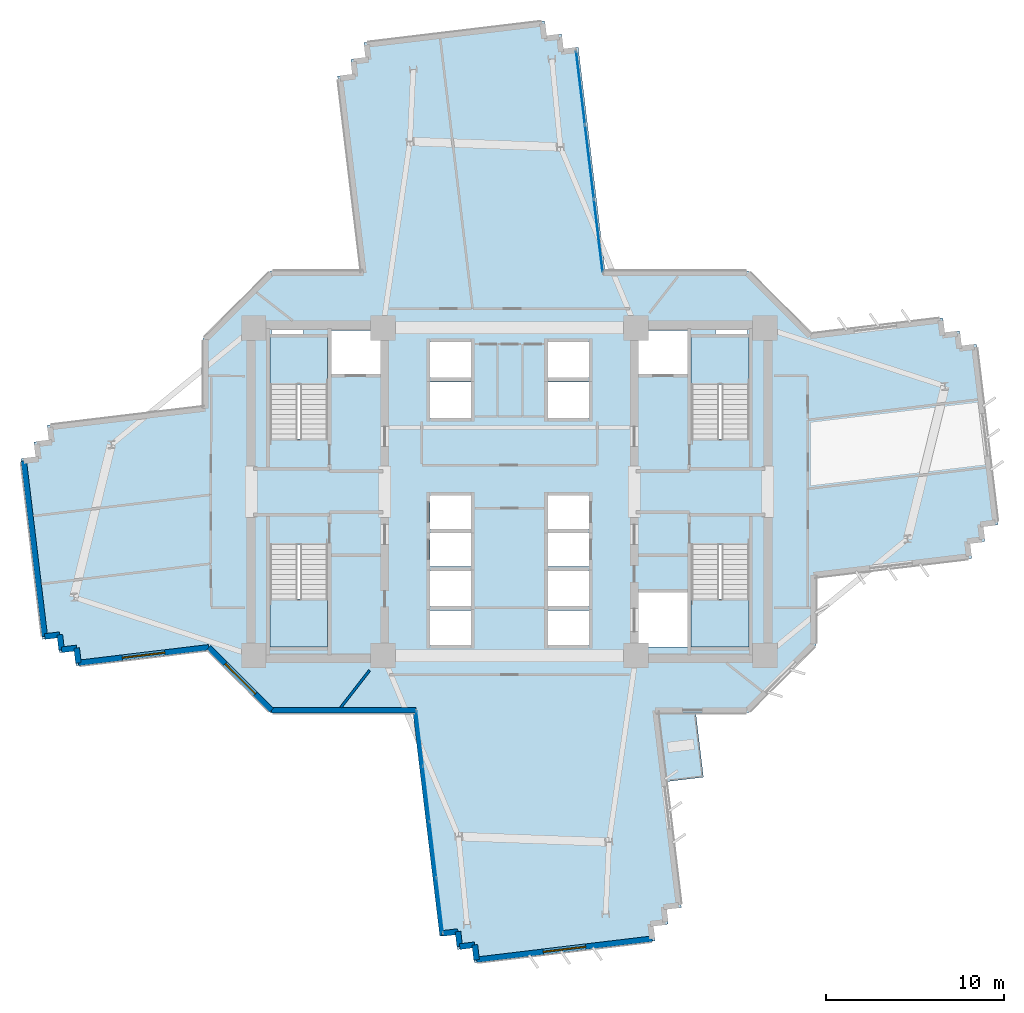
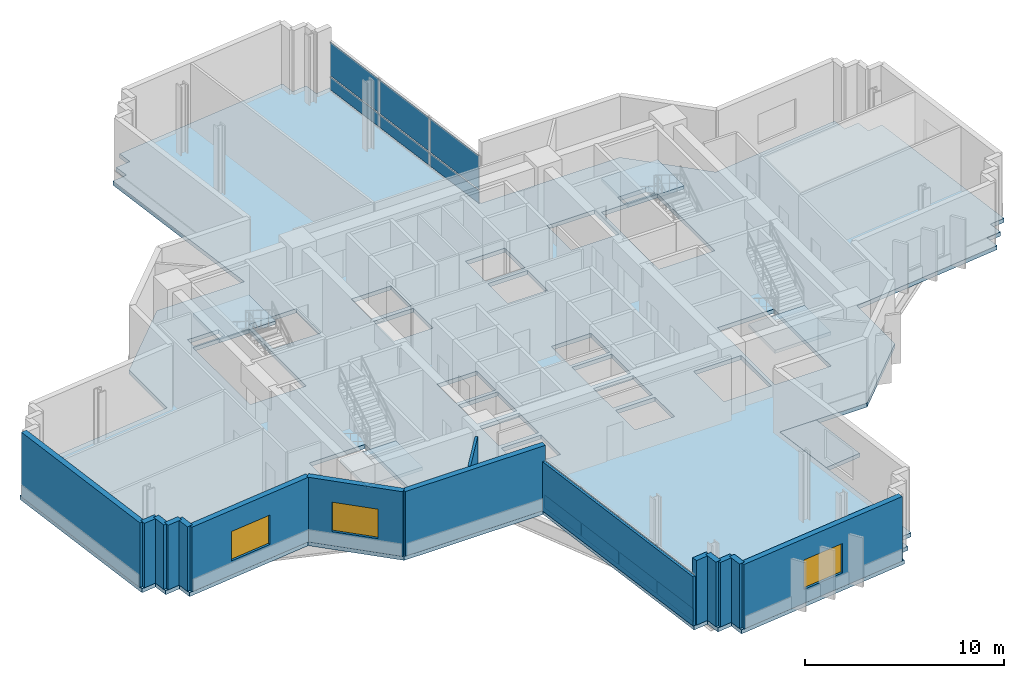
# One storey, part 5 of 15: 15 walls, 14 plates, 6 slabs, 3 windows, 3 openings, 6 elements without a shape of their own.
"""IFC4 building model written with IfcOpenShell, lengths in metres."""

from ifc_helpers import new_model, si_unit, direction, frame, frame_2d, origin, origin_2d, place, context, subcontext, project, spatial, polyline, rectangle, outline, extrude, source, transform, mapped, material, layer, layer_set, type_object, element, fill, aggregate, save


model = new_model("IFC4")

# Units and contexts
model_context = context("Model", 3, precision=1e-05, world=origin(), true_north=direction((0.0, 1.0)))
body_context = subcontext(model_context, "Body", "Model", "MODEL_VIEW")
ifc_project = project(units=[si_unit("LENGTHUNIT", "METRE"), si_unit("AREAUNIT", "SQUARE_METRE"), si_unit("VOLUMEUNIT", "CUBIC_METRE"), si_unit("PLANEANGLEUNIT", "RADIAN"), si_unit("MASSUNIT", "GRAM", prefix="KILO")], contexts=[model_context])

# Site, building, storey
site_placement = place(None, origin())
site = spatial("IfcSite", under=ifc_project, at=site_placement, CompositionType="ELEMENT")
building_placement = place(site_placement, origin())
building = spatial("IfcBuilding", under=site, at=building_placement, Name="Zahravan Cultural Tower", CompositionType="ELEMENT")
storey_placement = place(building_placement, frame((0.0, 0.0, 108.89990234375)))
storey = spatial("IfcBuildingStorey", under=building, at=storey_placement, Name="L24", CompositionType="ELEMENT", Elevation=108.89990234375)

# Stair, slab
ifc_material_1 = material(Name="Concrete C45/55", Category="concrete")
stair_type = type_object("IfcStairType", Name="STR-DL-1550-420", PredefinedType="HALF_TURN_STAIR", material=ifc_material_1)
stair_1_placement = place(storey_placement, origin())
stair_1 = element("IfcStair", 1, at=stair_1_placement, inside=storey, type_object=stair_type, Name="L24 West Core North Exit Stair ST-W1", PredefinedType="HALF_TURN_STAIR")
ifc_layer_1 = layer(ifc_material_1, 0.199951171875)
ifc_layer_set_1 = layer_set([ifc_layer_1], Name="Concrete C45/55")
slab_type_1 = type_object("IfcSlabType", Name="SL-STAIR-LND200", PredefinedType="LANDING", material=ifc_layer_set_1)
slab_1_placement = place(storey_placement, frame((0.0, 0.0, 1.900146484375)))
slab_1 = element("IfcSlab", 2, at=slab_1_placement, type_object=slab_type_1, Name="ST-W1 landing 1", PredefinedType="LANDING", context=body_context, shape_type="SweptSolid", body=[
    extrude(outline(polyline([(25.800048828125, 33.030029296875), (25.800048828125, 35.699951171875), (22.550048828125, 35.699951171875), (22.550048828125, 33.030029296875), (25.800048828125, 33.030029296875)])), origin(), (0.0, 0.0, 1.0), 0.199951171875),
])
aggregate(stair_1, [slab_1])

stair_2_placement = place(storey_placement, origin())
stair_2 = element("IfcStair", 3, at=stair_2_placement, inside=storey, type_object=stair_type, Name="L24 West Core South Exit Stair ST-W2", PredefinedType="HALF_TURN_STAIR")
slab_2_placement = place(storey_placement, frame((0.0, 0.0, 1.900146484375)))
slab_2 = element("IfcSlab", 4, at=slab_2_placement, type_object=slab_type_1, Name="ST-W2 landing 1", PredefinedType="LANDING", context=body_context, shape_type="SweptSolid", body=[
    extrude(outline(polyline([(22.550048828125, 20.969970703125), (22.550048828125, 18.300048828125), (25.800048828125, 18.300048828125), (25.800048828125, 20.969970703125), (22.550048828125, 20.969970703125)])), origin(), (0.0, 0.0, 1.0), 0.199951171875),
])
aggregate(stair_2, [slab_2])

stair_3_placement = place(storey_placement, origin())
stair_3 = element("IfcStair", 5, at=stair_3_placement, inside=storey, type_object=stair_type, Name="L24 East Core North Exit Stair ST-E1", PredefinedType="HALF_TURN_STAIR")
slab_3_placement = place(storey_placement, frame((0.0, 0.0, 1.900146484375)))
slab_3 = element("IfcSlab", 6, at=slab_3_placement, type_object=slab_type_1, Name="ST-E1 landing 1", PredefinedType="LANDING", context=body_context, shape_type="SweptSolid", body=[
    extrude(outline(polyline([(49.449951171875, 33.030029296875), (49.449951171875, 35.699951171875), (46.199951171875, 35.699951171875), (46.199951171875, 33.030029296875), (49.449951171875, 33.030029296875)])), origin(), (0.0, 0.0, 1.0), 0.199951171875),
])
aggregate(stair_3, [slab_3])

stair_4_placement = place(storey_placement, origin())
stair_4 = element("IfcStair", 7, at=stair_4_placement, inside=storey, type_object=stair_type, Name="L24 East Core South Exit Stair ST-E2", PredefinedType="HALF_TURN_STAIR")
slab_4_placement = place(storey_placement, frame((0.0, 0.0, 1.900146484375)))
slab_4 = element("IfcSlab", 8, at=slab_4_placement, type_object=slab_type_1, Name="ST-E2 landing 1", PredefinedType="LANDING", context=body_context, shape_type="SweptSolid", body=[
    extrude(outline(polyline([(46.199951171875, 20.969970703125), (46.199951171875, 18.300048828125), (49.449951171875, 18.300048828125), (49.449951171875, 20.969970703125), (46.199951171875, 20.969970703125)])), origin(), (0.0, 0.0, 1.0), 0.199951171875),
])
aggregate(stair_4, [slab_4])

# Slabs
ifc_material_2 = material(Name="Concrete C40/50", Category="concrete")
ifc_layer_2 = layer(ifc_material_2, 0.239990234375)
ifc_layer_set_2 = layer_set([ifc_layer_2], Name="Concrete C40/50")
slab_type_2 = type_object("IfcSlabType", Name="SL-TERR-240", PredefinedType="FLOOR", material=ifc_layer_set_2)
slab_5_placement = place(storey_placement, frame((0.0, 0.0, -0.239990234375)))
element("IfcSlab", 9, at=slab_5_placement, inside=storey, type_object=slab_type_2, Name="L24 Planted Sculpture Terrace SE", PredefinedType="FLOOR", context=body_context, shape_type="SweptSolid", body=[
    extrude(outline(polyline([(46.885009765625, 10.982421875), (46.451904296875, 14.594970703125), (44.341796875, 14.594970703125), (44.80517578125, 10.73291015625), (46.885009765625, 10.982421875)])), origin(), (0.0, 0.0, 1.0), 0.239990234375),
])
ifc_layer_3 = layer(ifc_material_2, 0.25)
ifc_layer_set_3 = layer_set([ifc_layer_3], Name="Concrete C40/50")
slab_type_3 = type_object("IfcSlabType", Name="SL-TYP-250", PredefinedType="FLOOR", material=ifc_layer_set_3)
slab_6_placement = place(storey_placement, frame((0.0, 0.0, -0.25)))
element("IfcSlab", 10, at=slab_6_placement, inside=storey, type_object=slab_type_3, Name="L24 Structural Floor Slab", PredefinedType="FLOOR", context=body_context, shape_type="SweptSolid", body=[
    extrude(outline(polyline([(52.92138671875, 35.87841796875), (49.39990234375, 39.39990234375), (41.361328125, 39.39990234375), (39.857421875, 51.93701171875), (39.013671875, 51.835693359375), (38.912353515625, 52.6796875), (38.068359375, 52.578369140625), (37.96728515625, 53.42236328125), (27.83984375, 52.20751953125), (27.94091796875, 51.363525390625), (27.09716796875, 51.262451171875), (27.1982421875, 50.41845703125), (26.354248046875, 50.317138671875), (27.663818359375, 39.39990234375), (22.60009765625, 39.39990234375), (18.800048828125, 35.60009765625), (18.800048828125, 31.78564453125), (10.0703125, 30.73828125), (10.17138671875, 29.89453125), (9.327392578125, 29.793212890625), (9.4287109375, 28.94921875), (8.584716796875, 28.84814453125), (9.799560546875, 18.720703125), (10.6435546875, 18.822021484375), (10.74462890625, 17.97802734375), (11.588623046875, 18.0791015625), (11.68994140625, 17.235107421875), (19.07861328125, 18.12158203125), (22.60009765625, 14.60009765625), (30.638671875, 14.60009765625), (32.142578125, 2.06298828125), (32.986328125, 2.164306640625), (33.087646484375, 1.3203125), (33.931640625, 1.421630859375), (34.03271484375, 0.57763671875), (44.16015625, 1.79248046875), (44.05908203125, 2.636474609375), (44.90283203125, 2.737548828125), (44.8017578125, 3.58154296875), (45.645751953125, 3.682861328125), (44.336181640625, 14.60009765625), (49.39990234375, 14.60009765625), (53.199951171875, 18.39990234375), (53.199951171875, 22.21435546875), (61.9296875, 23.26171875), (61.82861328125, 24.10546875), (62.672607421875, 24.206787109375), (62.5712890625, 25.05078125), (63.415283203125, 25.15185546875), (62.200439453125, 35.279296875), (61.3564453125, 35.177978515625), (61.25537109375, 36.02197265625), (60.411376953125, 35.9208984375), (60.31005859375, 36.764892578125), (52.92138671875, 35.87841796875)]), holes=[polyline([(22.550048828125, 29.949951171875), (22.550048828125, 35.699951171875), (25.800048828125, 35.699951171875), (25.800048828125, 29.949951171875), (22.550048828125, 29.949951171875)]), polyline([(22.550048828125, 18.300048828125), (22.550048828125, 24.050048828125), (25.800048828125, 24.050048828125), (25.800048828125, 18.300048828125), (22.550048828125, 18.300048828125)]), polyline([(46.199951171875, 29.949951171875), (46.199951171875, 35.699951171875), (49.449951171875, 35.699951171875), (49.449951171875, 29.949951171875), (46.199951171875, 29.949951171875)]), polyline([(46.199951171875, 18.300048828125), (46.199951171875, 24.050048828125), (49.449951171875, 24.050048828125), (49.449951171875, 18.300048828125), (46.199951171875, 18.300048828125)]), polyline([(26.0, 33.60009765625), (26.0, 36.050048828125), (28.75, 36.050048828125), (28.75, 33.60009765625), (26.0, 33.60009765625)]), polyline([(43.25, 33.60009765625), (43.25, 36.050048828125), (46.0, 36.050048828125), (46.0, 33.60009765625), (43.25, 33.60009765625)]), polyline([(43.25, 18.300048828125), (43.25, 21.35009765625), (46.0, 21.35009765625), (46.0, 18.300048828125), (43.25, 18.300048828125)]), polyline([(31.550048828125, 33.39990234375), (31.550048828125, 35.39990234375), (33.85009765625, 35.39990234375), (33.85009765625, 33.39990234375), (31.550048828125, 33.39990234375)]), polyline([(31.550048828125, 31.14990234375), (31.550048828125, 33.14990234375), (33.85009765625, 33.14990234375), (33.85009765625, 31.14990234375), (31.550048828125, 31.14990234375)]), polyline([(38.14990234375, 33.39990234375), (38.14990234375, 35.39990234375), (40.449951171875, 35.39990234375), (40.449951171875, 33.39990234375), (38.14990234375, 33.39990234375)]), polyline([(38.14990234375, 31.14990234375), (38.14990234375, 33.14990234375), (40.449951171875, 33.14990234375), (40.449951171875, 31.14990234375), (38.14990234375, 31.14990234375)]), polyline([(31.550048828125, 20.60009765625), (31.550048828125, 22.550048828125), (33.85009765625, 22.550048828125), (33.85009765625, 20.60009765625), (31.550048828125, 20.60009765625)]), polyline([(31.550048828125, 18.39990234375), (31.550048828125, 20.35009765625), (33.85009765625, 20.35009765625), (33.85009765625, 18.39990234375), (31.550048828125, 18.39990234375)]), polyline([(38.14990234375, 20.60009765625), (38.14990234375, 22.550048828125), (40.449951171875, 22.550048828125), (40.449951171875, 20.60009765625), (38.14990234375, 20.60009765625)]), polyline([(38.14990234375, 18.39990234375), (38.14990234375, 20.35009765625), (40.449951171875, 20.35009765625), (40.449951171875, 18.39990234375), (38.14990234375, 18.39990234375)]), polyline([(31.550048828125, 24.89990234375), (31.550048828125, 26.800048828125), (33.85009765625, 26.800048828125), (33.85009765625, 24.89990234375), (31.550048828125, 24.89990234375)]), polyline([(31.550048828125, 22.800048828125), (31.550048828125, 24.699951171875), (33.85009765625, 24.699951171875), (33.85009765625, 22.800048828125), (31.550048828125, 22.800048828125)]), polyline([(38.14990234375, 24.89990234375), (38.14990234375, 26.800048828125), (40.449951171875, 26.800048828125), (40.449951171875, 24.89990234375), (38.14990234375, 24.89990234375)]), polyline([(38.14990234375, 22.800048828125), (38.14990234375, 24.699951171875), (40.449951171875, 24.699951171875), (40.449951171875, 22.800048828125), (38.14990234375, 22.800048828125)]), polyline([(22.64990234375, 35.800048828125), (22.64990234375, 36.419921875), (24.449951171875, 36.419921875), (24.449951171875, 35.800048828125), (22.64990234375, 35.800048828125)]), polyline([(47.550048828125, 35.800048828125), (47.550048828125, 36.419921875), (49.35009765625, 36.419921875), (49.35009765625, 35.800048828125), (47.550048828125, 35.800048828125)])]), origin(), (0.0, 0.0, 1.0), 0.25),
])

# Curtain wall, plates
ifc_material_3 = material(Name="Anodised bronze-aluminium mullion", Category="aluminium")
ifc_layer_4 = layer(ifc_material_3, 0.1650390625)
ifc_layer_set_4 = layer_set([ifc_layer_4], Name="Anodised bronze-aluminium mullion")
curtain_wall_type_1 = type_object("IfcCurtainWallType", Name="CW-SYS-4", PredefinedType="USERDEFINED", material=ifc_layer_set_4)
curtain_wall_1_placement = place(storey_placement, origin())
curtain_wall_1 = element("IfcCurtainWall", 11, at=curtain_wall_1_placement, inside=storey, type_object=curtain_wall_type_1, Name="L24 Recessed Curtain Wall CW-4.1", ObjectType="RECESSED GLAZING", PredefinedType="USERDEFINED")
ifc_material_4 = material(Name="Low-E solar-control double glazing", Category="glass")
ifc_layer_5 = layer(ifc_material_4, 0.02587890625)
ifc_layer_set_5 = layer_set([ifc_layer_5], Name="Low-E solar-control double glazing")
plate_type_1 = type_object("IfcPlateType", Name="CWP-CW-4", PredefinedType="CURTAIN_PANEL", material=ifc_layer_set_5)
shared_shape_1 = source(origin(), body_context, "Body", "SweptSolid", [
    extrude(rectangle(XDim=3.05517578125, YDim=0.02587890625, at=origin_2d()), origin(), (0.0, 0.0, 1.0), 0.802490234375),
])
plate_1_placement = place(storey_placement, frame((32.0751953125, 3.800048828125, 0.06494140625), z_axis=(0.0, 0.0, 1.0), x_axis=(-0.11909487867, 0.992882878226, 0.0)))
plate_1 = element("IfcPlate", 12, at=plate_1_placement, type_object=plate_type_1, Name="CW-4 panel 1.1", PredefinedType="CURTAIN_PANEL", context=body_context, shape_type="MappedRepresentation", body=[
    mapped(shared_shape_1, transform((0.0, 0.0, 0.0), x_axis=(1.0, 0.0, 0.0), y_axis=(0.0, 1.0, 0.0), z_axis=(0.0, 0.0, 1.0), scale=1.0)),
])
plate_2_placement = place(storey_placement, frame((30.95263671875, 13.15869140625, 0.06494140625), z_axis=(0.0, 0.0, 1.0), x_axis=(-0.11909487867, 0.992882878226, 0.0)))
plate_2 = element("IfcPlate", 13, at=plate_2_placement, type_object=plate_type_1, Name="CW-4 panel 4.1", PredefinedType="CURTAIN_PANEL", context=body_context, shape_type="MappedRepresentation", body=[
    mapped(shared_shape_1, transform((0.0, 0.0, 0.0), x_axis=(1.0, 0.0, 0.0), y_axis=(0.0, 1.0, 0.0), z_axis=(0.0, 0.0, 1.0), scale=1.0)),
])
shared_shape_2 = source(origin(), body_context, "Body", "SweptSolid", [
    extrude(rectangle(XDim=3.05517578125, YDim=0.02587890625, at=origin_2d()), origin(), (0.0, 0.0, 1.0), 2.072509765625),
])
plate_3_placement = place(storey_placement, frame((32.0751953125, 3.800048828125, 0.9326171875), z_axis=(0.0, 0.0, 1.0), x_axis=(-0.11909487867, 0.992882878226, 0.0)))
plate_3 = element("IfcPlate", 14, at=plate_3_placement, type_object=plate_type_1, Name="CW-4 panel 1.2", PredefinedType="CURTAIN_PANEL", context=body_context, shape_type="MappedRepresentation", body=[
    mapped(shared_shape_2, transform((0.0, 0.0, 0.0), x_axis=(1.0, 0.0, 0.0), y_axis=(0.0, 1.0, 0.0), z_axis=(0.0, 0.0, 1.0), scale=1.0)),
])
plate_4_placement = place(storey_placement, frame((30.95263671875, 13.15869140625, 0.9326171875), z_axis=(0.0, 0.0, 1.0), x_axis=(-0.11909487867, 0.992882878226, 0.0)))
plate_4 = element("IfcPlate", 15, at=plate_4_placement, type_object=plate_type_1, Name="CW-4 panel 4.2", PredefinedType="CURTAIN_PANEL", context=body_context, shape_type="MappedRepresentation", body=[
    mapped(shared_shape_2, transform((0.0, 0.0, 0.0), x_axis=(1.0, 0.0, 0.0), y_axis=(0.0, 1.0, 0.0), z_axis=(0.0, 0.0, 1.0), scale=1.0)),
])
shared_shape_3 = source(origin(), body_context, "Body", "SweptSolid", [
    extrude(rectangle(XDim=3.087646484375, YDim=0.02587890625, at=origin_2d()), origin(), (0.0, 0.0, 1.0), 0.802490234375),
])
plate_5_placement = place(storey_placement, frame((31.70166015625, 6.914306640625, 0.06494140625), z_axis=(0.0, 0.0, 1.0), x_axis=(-0.11909487867, 0.992882878226, 0.0)))
plate_5 = element("IfcPlate", 16, at=plate_5_placement, type_object=plate_type_1, Name="CW-4 panel 2.1", PredefinedType="CURTAIN_PANEL", context=body_context, shape_type="MappedRepresentation", body=[
    mapped(shared_shape_3, transform((0.0, 0.0, 0.0), x_axis=(1.0, 0.0, 0.0), y_axis=(0.0, 1.0, 0.0), z_axis=(0.0, 0.0, 1.0), scale=1.0)),
])
plate_6_placement = place(storey_placement, frame((31.326171875, 10.04443359375, 0.06494140625), z_axis=(0.0, 0.0, 1.0), x_axis=(-0.11909487867, 0.992882878226, 0.0)))
plate_6 = element("IfcPlate", 17, at=plate_6_placement, type_object=plate_type_1, Name="CW-4 panel 3.1", PredefinedType="CURTAIN_PANEL", context=body_context, shape_type="MappedRepresentation", body=[
    mapped(shared_shape_3, transform((0.0, 0.0, 0.0), x_axis=(1.0, 0.0, 0.0), y_axis=(0.0, 1.0, 0.0), z_axis=(0.0, 0.0, 1.0), scale=1.0)),
])
shared_shape_4 = source(origin(), body_context, "Body", "SweptSolid", [
    extrude(rectangle(XDim=3.087646484375, YDim=0.02587890625, at=origin_2d()), origin(), (0.0, 0.0, 1.0), 2.072509765625),
])
plate_7_placement = place(storey_placement, frame((31.70166015625, 6.914306640625, 0.9326171875), z_axis=(0.0, 0.0, 1.0), x_axis=(-0.11909487867, 0.992882878226, 0.0)))
plate_7 = element("IfcPlate", 18, at=plate_7_placement, type_object=plate_type_1, Name="CW-4 panel 2.2", PredefinedType="CURTAIN_PANEL", context=body_context, shape_type="MappedRepresentation", body=[
    mapped(shared_shape_4, transform((0.0, 0.0, 0.0), x_axis=(1.0, 0.0, 0.0), y_axis=(0.0, 1.0, 0.0), z_axis=(0.0, 0.0, 1.0), scale=1.0)),
])
plate_8_placement = place(storey_placement, frame((31.326171875, 10.04443359375, 0.9326171875), z_axis=(0.0, 0.0, 1.0), x_axis=(-0.11909487867, 0.992882878226, 0.0)))
plate_8 = element("IfcPlate", 19, at=plate_8_placement, type_object=plate_type_1, Name="CW-4 panel 3.2", PredefinedType="CURTAIN_PANEL", context=body_context, shape_type="MappedRepresentation", body=[
    mapped(shared_shape_4, transform((0.0, 0.0, 0.0), x_axis=(1.0, 0.0, 0.0), y_axis=(0.0, 1.0, 0.0), z_axis=(0.0, 0.0, 1.0), scale=1.0)),
])
aggregate(curtain_wall_1, [plate_1, plate_3, plate_5, plate_7, plate_6, plate_8, plate_2, plate_4])

ifc_layer_6 = layer(ifc_material_3, 0.219970703125)
ifc_layer_set_6 = layer_set([ifc_layer_6], Name="Anodised bronze-aluminium mullion")
curtain_wall_type_2 = type_object("IfcCurtainWallType", Name="CW-SYS-1", PredefinedType="USERDEFINED", material=ifc_layer_set_6)
curtain_wall_2_placement = place(storey_placement, origin())
curtain_wall_2 = element("IfcCurtainWall", 20, at=curtain_wall_2_placement, inside=storey, type_object=curtain_wall_type_2, Name="L24 Recessed Curtain Wall CW-1.2", ObjectType="RECESSED GLAZING", PredefinedType="USERDEFINED")
ifc_layer_7 = layer(ifc_material_4, 0.031982421875)
ifc_layer_set_7 = layer_set([ifc_layer_7], Name="Low-E solar-control double glazing")
plate_type_2 = type_object("IfcPlateType", Name="CWP-CW-1", PredefinedType="CURTAIN_PANEL", material=ifc_layer_set_7)
shared_shape_5 = source(origin(), body_context, "Body", "SweptSolid", [
    extrude(rectangle(XDim=4.083740234375, YDim=0.031982421875, at=origin_2d()), origin(), (0.0, 0.0, 1.0), 0.780029296875),
])
plate_9_placement = place(storey_placement, frame((39.98779296875, 49.674560546875, 0.080078125), z_axis=(0.0, 0.0, 1.0), x_axis=(0.11909487867, -0.992882878226, 0.0)))
plate_9 = element("IfcPlate", 21, at=plate_9_placement, type_object=plate_type_2, Name="CW-1 panel 1.1", PredefinedType="CURTAIN_PANEL", context=body_context, shape_type="MappedRepresentation", body=[
    mapped(shared_shape_5, transform((0.0, 0.0, 0.0), x_axis=(1.0, 0.0, 0.0), y_axis=(0.0, 1.0, 0.0), z_axis=(0.0, 0.0, 1.0), scale=1.0)),
])
plate_10_placement = place(storey_placement, frame((40.984375, 41.36669921875, 0.080078125), z_axis=(0.0, 0.0, 1.0), x_axis=(0.11909487867, -0.992882878226, 0.0)))
plate_10 = element("IfcPlate", 22, at=plate_10_placement, type_object=plate_type_2, Name="CW-1 panel 3.1", PredefinedType="CURTAIN_PANEL", context=body_context, shape_type="MappedRepresentation", body=[
    mapped(shared_shape_5, transform((0.0, 0.0, 0.0), x_axis=(1.0, 0.0, 0.0), y_axis=(0.0, 1.0, 0.0), z_axis=(0.0, 0.0, 1.0), scale=1.0)),
])
shared_shape_6 = source(origin(), body_context, "Body", "SweptSolid", [
    extrude(rectangle(XDim=4.083740234375, YDim=0.031982421875, at=origin_2d()), origin(), (0.0, 0.0, 1.0), 2.050048828125),
])
plate_11_placement = place(storey_placement, frame((39.98779296875, 49.674560546875, 0.93994140625), z_axis=(0.0, 0.0, 1.0), x_axis=(0.11909487867, -0.992882878226, 0.0)))
plate_11 = element("IfcPlate", 23, at=plate_11_placement, type_object=plate_type_2, Name="CW-1 panel 1.2", PredefinedType="CURTAIN_PANEL", context=body_context, shape_type="MappedRepresentation", body=[
    mapped(shared_shape_6, transform((0.0, 0.0, 0.0), x_axis=(1.0, 0.0, 0.0), y_axis=(0.0, 1.0, 0.0), z_axis=(0.0, 0.0, 1.0), scale=1.0)),
])
plate_12_placement = place(storey_placement, frame((40.984375, 41.36669921875, 0.93994140625), z_axis=(0.0, 0.0, 1.0), x_axis=(0.11909487867, -0.992882878226, 0.0)))
plate_12 = element("IfcPlate", 24, at=plate_12_placement, type_object=plate_type_2, Name="CW-1 panel 3.2", PredefinedType="CURTAIN_PANEL", context=body_context, shape_type="MappedRepresentation", body=[
    mapped(shared_shape_6, transform((0.0, 0.0, 0.0), x_axis=(1.0, 0.0, 0.0), y_axis=(0.0, 1.0, 0.0), z_axis=(0.0, 0.0, 1.0), scale=1.0)),
])
shared_shape_7 = source(origin(), body_context, "Body", "SweptSolid", [
    extrude(rectangle(XDim=4.12353515625, YDim=0.031982421875, at=origin_2d()), origin(), (0.0, 0.0, 1.0), 0.780029296875),
])
plate_13_placement = place(storey_placement, frame((40.486083984375, 45.5205078125, 0.080078125), z_axis=(0.0, 0.0, 1.0), x_axis=(0.11909487867, -0.992882878226, 0.0)))
plate_13 = element("IfcPlate", 25, at=plate_13_placement, type_object=plate_type_2, Name="CW-1 panel 2.1", PredefinedType="CURTAIN_PANEL", context=body_context, shape_type="MappedRepresentation", body=[
    mapped(shared_shape_7, transform((0.0, 0.0, 0.0), x_axis=(1.0, 0.0, 0.0), y_axis=(0.0, 1.0, 0.0), z_axis=(0.0, 0.0, 1.0), scale=1.0)),
])
shared_shape_8 = source(origin(), body_context, "Body", "SweptSolid", [
    extrude(rectangle(XDim=4.12353515625, YDim=0.031982421875, at=origin_2d()), origin(), (0.0, 0.0, 1.0), 2.050048828125),
])
plate_14_placement = place(storey_placement, frame((40.486083984375, 45.5205078125, 0.93994140625), z_axis=(0.0, 0.0, 1.0), x_axis=(0.11909487867, -0.992882878226, 0.0)))
plate_14 = element("IfcPlate", 26, at=plate_14_placement, type_object=plate_type_2, Name="CW-1 panel 2.2", PredefinedType="CURTAIN_PANEL", context=body_context, shape_type="MappedRepresentation", body=[
    mapped(shared_shape_8, transform((0.0, 0.0, 0.0), x_axis=(1.0, 0.0, 0.0), y_axis=(0.0, 1.0, 0.0), z_axis=(0.0, 0.0, 1.0), scale=1.0)),
])
aggregate(curtain_wall_2, [plate_9, plate_11, plate_13, plate_14, plate_10, plate_12])

# Wall, opening, window
ifc_material_5 = material(Name="Precast concrete C40/50", Category="concrete")
ifc_layer_8 = layer(ifc_material_5, 0.320068359375)
ifc_layer_set_8 = layer_set([ifc_layer_8], Name="Precast concrete C40/50")
wall_type_1 = type_object("IfcWallType", Name="EW-TC-320", PredefinedType="SOLIDWALL", material=ifc_layer_set_8)
wall_1_placement = place(storey_placement, frame((44.00439453125, 1.914794921875, 0.0), z_axis=(0.0, 0.0, 1.0), x_axis=(-0.992883125729, -0.119092815244, 0.0)))
wall_1 = element("IfcWall", 27, at=wall_1_placement, inside=storey, type_object=wall_type_1, Name="L24 Exterior Masonry Frame Wall 20", PredefinedType="SOLIDWALL", context=body_context, shape_type="SweptSolid", body=[
    extrude(rectangle(XDim=9.919921875, YDim=0.320068359375, at=frame_2d((4.9599609375, 0.0))), origin(), (0.0, 0.0, 1.0), 3.9501953125),
])
opening_1_placement = place(wall_1_placement, frame((3.760009765625, 0.0, 0.85009765625)))
opening_1 = element("IfcOpeningElement", 28, at=opening_1_placement, cuts=wall_1, Name="Opening WN-01", PredefinedType="OPENING", context=body_context, shape_type="SweptSolid", body=[
    extrude(rectangle(XDim=2.39990234375, YDim=1.800048828125, at=frame_2d((1.199951171875, 0.89990234375))), frame((0.0, 0.169921875, 0.0), z_axis=(0.0, -1.0, 0.0), x_axis=(1.0, 0.0, 0.0)), (0.0, 0.0, 1.0), 0.340087890625),
])
window_type = type_object("IfcWindowType", Name="WN-REC-2400X1800", PartitioningType="DOUBLE_PANEL_VERTICAL", PredefinedType="WINDOW", material=ifc_material_4)
shared_shape_9 = source(origin(), body_context, "Body", "SweptSolid", [
    extrude(rectangle(XDim=2.39990234375, YDim=1.800048828125, at=frame_2d((1.199951171875, 0.89990234375))), frame((0.0, 0.030029296875, 0.0), z_axis=(0.0, -1.0, 0.0), x_axis=(1.0, 0.0, 0.0)), (0.0, 0.0, 1.0), 0.06005859375),
])
window_1_placement = place(opening_1_placement, origin())
window_1 = element("IfcWindow", 29, at=window_1_placement, inside=storey, type_object=window_type, Name="L24 Recessed Solar Window 06", OverallHeight=1.800048828125, OverallWidth=2.39990234375, PartitioningType="DOUBLE_PANEL_VERTICAL", PredefinedType="WINDOW", context=body_context, shape_type="MappedRepresentation", body=[
    mapped(shared_shape_9, transform((0.0, 0.0, 0.0), x_axis=(1.0, 0.0, 0.0), y_axis=(0.0, 1.0, 0.0), z_axis=(0.0, 0.0, 1.0), scale=1.0)),
])
fill(opening_1, window_1)

wall_2_placement = place(storey_placement, frame((22.657958984375, 14.739990234375, 0.0), z_axis=(0.0, 0.0, 1.0), x_axis=(-0.707106781187, 0.707106781187, 0.0)))
wall_2 = element("IfcWall", 30, at=wall_2_placement, inside=storey, type_object=wall_type_1, Name="L24 Exterior Masonry Frame Wall 26", PredefinedType="SOLIDWALL", context=body_context, shape_type="SweptSolid", body=[
    extrude(rectangle(XDim=4.990234375, YDim=0.320068359375, at=frame_2d((2.4951171875, 0.0))), origin(), (0.0, 0.0, 1.0), 3.9501953125),
])
opening_2_placement = place(wall_2_placement, frame((1.294921875, 0.0, 0.85009765625)))
opening_2 = element("IfcOpeningElement", 31, at=opening_2_placement, cuts=wall_2, Name="Opening WN-01", PredefinedType="OPENING", context=body_context, shape_type="SweptSolid", body=[
    extrude(rectangle(XDim=2.39990234375, YDim=1.800048828125, at=frame_2d((1.199951171875, 0.89990234375))), frame((0.0, 0.169921875, 0.0), z_axis=(0.0, -1.0, 0.0), x_axis=(1.0, 0.0, 0.0)), (0.0, 0.0, 1.0), 0.340087890625),
])
window_2_placement = place(opening_2_placement, origin())
window_2 = element("IfcWindow", 32, at=window_2_placement, inside=storey, type_object=window_type, Name="L24 Recessed Solar Window 07", OverallHeight=1.800048828125, OverallWidth=2.39990234375, PartitioningType="DOUBLE_PANEL_VERTICAL", PredefinedType="WINDOW", context=body_context, shape_type="MappedRepresentation", body=[
    mapped(shared_shape_9, transform((0.0, 0.0, 0.0), x_axis=(1.0, 0.0, 0.0), y_axis=(0.0, 1.0, 0.0), z_axis=(0.0, 0.0, 1.0), scale=1.0)),
])
fill(opening_2, window_2)

wall_3_placement = place(storey_placement, frame((19.12939453125, 18.2685546875, 0.0), z_axis=(0.0, 0.0, 1.0), x_axis=(-0.992882794037, -0.119095580547, 0.0)))
wall_3 = element("IfcWall", 33, at=wall_3_placement, inside=storey, type_object=wall_type_1, Name="L24 Exterior Masonry Frame Wall 27", PredefinedType="SOLIDWALL", context=body_context, shape_type="SweptSolid", body=[
    extrude(rectangle(XDim=7.36962890625, YDim=0.320068359375, at=frame_2d((3.684814453125, 0.0))), origin(), (0.0, 0.0, 1.0), 3.9501953125),
])
opening_3_placement = place(wall_3_placement, frame((2.485107421875, 0.0, 0.85009765625)))
opening_3 = element("IfcOpeningElement", 34, at=opening_3_placement, cuts=wall_3, Name="Opening WN-01", PredefinedType="OPENING", context=body_context, shape_type="SweptSolid", body=[
    extrude(rectangle(XDim=2.39990234375, YDim=1.800048828125, at=frame_2d((1.199951171875, 0.89990234375))), frame((0.0, 0.169921875, 0.0), z_axis=(0.0, -1.0, 0.0), x_axis=(1.0, 0.0, 0.0)), (0.0, 0.0, 1.0), 0.340087890625),
])
window_3_placement = place(opening_3_placement, origin())
window_3 = element("IfcWindow", 35, at=window_3_placement, inside=storey, type_object=window_type, Name="L24 Recessed Solar Window 08", OverallHeight=1.800048828125, OverallWidth=2.39990234375, PartitioningType="DOUBLE_PANEL_VERTICAL", PredefinedType="WINDOW", context=body_context, shape_type="MappedRepresentation", body=[
    mapped(shared_shape_9, transform((0.0, 0.0, 0.0), x_axis=(1.0, 0.0, 0.0), y_axis=(0.0, 1.0, 0.0), z_axis=(0.0, 0.0, 1.0), scale=1.0)),
])
fill(opening_3, window_3)

# Walls
shared_shape_10 = source(origin(), body_context, "Body", "SweptSolid", [
    extrude(rectangle(XDim=0.85009765625, YDim=0.320068359375, at=frame_2d((0.425048828125, 0.0))), origin(), (0.0, 0.0, 1.0), 3.9501953125),
])
for number, where, z_axis, x_axis, name in (
    (36, (34.155029296875, 0.7333984375, 0.0), (0.0, 0.0, 1.0), (-0.118907380694, 0.992905350382, 0.0), "L24 Exterior Masonry Frame Wall 21"),
    (37, (34.053955078125, 1.577392578125, 0.0), (0.0, 0.0, 1.0), (-0.992871401376, -0.119190521137, 0.0), "L24 Exterior Masonry Frame Wall 22"),
    (38, (33.2099609375, 1.47607421875, 0.0), (0.0, 0.0, 1.0), (-0.119190521137, 0.992871401376, 0.0), "L24 Exterior Masonry Frame Wall 23"),
    (39, (11.812255859375, 17.390869140625, 0.0), (0.0, 0.0, 1.0), (-0.119190521137, 0.992871401376, 0.0), "L24 Exterior Masonry Frame Wall 28"),
    (40, (11.7109375, 18.23486328125, 0.0), (0.0, 0.0, 1.0), (-0.992905350382, -0.118907380694, 0.0), "L24 Exterior Masonry Frame Wall 29"),
    (41, (10.765869140625, 18.9775390625, 0.0), (0.0, 0.0, 1.0), (-0.992905350382, -0.118907380694, 0.0), "L24 Exterior Masonry Frame Wall 31"),
):
    element("IfcWall", number, at=place(storey_placement, frame(where, z_axis=z_axis, x_axis=x_axis)), inside=storey, type_object=wall_type_1, Name=name, PredefinedType="SOLIDWALL", context=body_context, shape_type="MappedRepresentation", body=[
        mapped(shared_shape_10, transform((0.0, 0.0, 0.0), x_axis=(1.0, 0.0, 0.0), y_axis=(0.0, 1.0, 0.0), z_axis=(0.0, 0.0, 1.0), scale=1.0)),
    ])
shared_shape_11 = source(origin(), body_context, "Body", "SweptSolid", [
    extrude(rectangle(XDim=0.849853515625, YDim=0.320068359375, at=frame_2d((0.4248046875, 0.0))), origin(), (0.0, 0.0, 1.0), 3.9501953125),
])
for number, where, z_axis, x_axis, name in (
    (42, (33.108642578125, 2.320068359375, 0.0), (0.0, 0.0, 1.0), (-0.992867319472, -0.119224518976, 0.0), "L24 Exterior Masonry Frame Wall 24"),
    (43, (10.866943359375, 18.1337890625, 0.0), (0.0, 0.0, 1.0), (-0.11894130009, 0.992901287708, 0.0), "L24 Exterior Masonry Frame Wall 30"),
):
    element("IfcWall", number, at=place(storey_placement, frame(where, z_axis=z_axis, x_axis=x_axis)), inside=storey, type_object=wall_type_1, Name=name, PredefinedType="SOLIDWALL", context=body_context, shape_type="MappedRepresentation", body=[
        mapped(shared_shape_11, transform((0.0, 0.0, 0.0), x_axis=(1.0, 0.0, 0.0), y_axis=(0.0, 1.0, 0.0), z_axis=(0.0, 0.0, 1.0), scale=1.0)),
    ])
shared_shape_12 = source(origin(), body_context, "Body", "SweptSolid", [
    extrude(rectangle(XDim=9.919921875, YDim=0.320068359375, at=frame_2d((4.9599609375, 0.0))), origin(), (0.0, 0.0, 1.0), 3.9501953125),
])
wall_4_placement = place(storey_placement, frame((9.921875, 18.87646484375, 0.0), z_axis=(0.0, 0.0, 1.0), x_axis=(-0.119092815244, 0.992883125729, 0.0)))
element("IfcWall", 44, at=wall_4_placement, inside=storey, type_object=wall_type_1, Name="L24 Exterior Masonry Frame Wall 32", PredefinedType="SOLIDWALL", context=body_context, shape_type="MappedRepresentation", body=[
    mapped(shared_shape_12, transform((0.0, 0.0, 0.0), x_axis=(1.0, 0.0, 0.0), y_axis=(0.0, 1.0, 0.0), z_axis=(0.0, 0.0, 1.0), scale=1.0)),
])
shared_shape_13 = source(origin(), body_context, "Body", "SweptSolid", [
    extrude(rectangle(XDim=8.10498046875, YDim=0.320068359375, at=frame_2d((4.052490234375, 0.0))), origin(), (0.0, 0.0, 1.0), 3.9501953125),
])
wall_5_placement = place(storey_placement, frame((30.762939453125, 14.739990234375, 0.0), z_axis=(0.0, 0.0, 1.0), x_axis=(-1.0, 0.0, 0.0)))
element("IfcWall", 45, at=wall_5_placement, inside=storey, type_object=wall_type_1, Name="L24 Exterior Masonry Frame Wall 25", PredefinedType="SOLIDWALL", context=body_context, shape_type="MappedRepresentation", body=[
    mapped(shared_shape_13, transform((0.0, 0.0, 0.0), x_axis=(1.0, 0.0, 0.0), y_axis=(0.0, 1.0, 0.0), z_axis=(0.0, 0.0, 1.0), scale=1.0)),
])
ifc_material_6 = material(Name="Gypsum plasterboard partition")
ifc_layer_9 = layer(ifc_material_6, 0.139892578125)
ifc_layer_set_9 = layer_set([ifc_layer_9], Name="Gypsum plasterboard partition")
wall_type_2 = type_object("IfcWallType", Name="W-PART-140", PredefinedType="PARTITIONING", material=ifc_layer_set_9)
shared_shape_14 = source(origin(), body_context, "Body", "SweptSolid", [
    extrude(rectangle(XDim=12.579345703125, YDim=0.139892578125, at=frame_2d((6.28955078125, 0.0))), origin(), (0.0, 0.0, 1.0), 3.010009765625),
])
wall_6_placement = place(storey_placement, frame((32.159912109375, 2.08544921875, 0.0), z_axis=(0.0, 0.0, 1.0), x_axis=(-0.119358735645, 0.992851193395, 0.0)))
element("IfcWall", 46, at=wall_6_placement, inside=storey, type_object=wall_type_2, Name="L24 Interior Wall 101", PredefinedType="PARTITIONING", context=body_context, shape_type="MappedRepresentation", body=[
    mapped(shared_shape_14, transform((0.0, 0.0, 0.0), x_axis=(1.0, 0.0, 0.0), y_axis=(0.0, 1.0, 0.0), z_axis=(0.0, 0.0, 1.0), scale=1.0)),
])
shared_shape_15 = source(origin(), body_context, "Body", "SweptSolid", [
    extrude(rectangle(XDim=2.62939453125, YDim=0.139892578125, at=frame_2d((1.314697265625, 0.0))), origin(), (0.0, 0.0, 1.0), 3.9501953125),
])
wall_7_placement = place(storey_placement, frame((28.15380859375, 16.97998046875, 0.0), z_axis=(0.0, 0.0, 1.0), x_axis=(-0.614210560268, -0.789142184689, 0.0)))
element("IfcWall", 47, at=wall_7_placement, inside=storey, type_object=wall_type_2, Name="L24 Interior Wall 095", PredefinedType="PARTITIONING", context=body_context, shape_type="MappedRepresentation", body=[
    mapped(shared_shape_15, transform((0.0, 0.0, 0.0), x_axis=(1.0, 0.0, 0.0), y_axis=(0.0, 1.0, 0.0), z_axis=(0.0, 0.0, 1.0), scale=1.0)),
])

save(model, "model.ifc")
